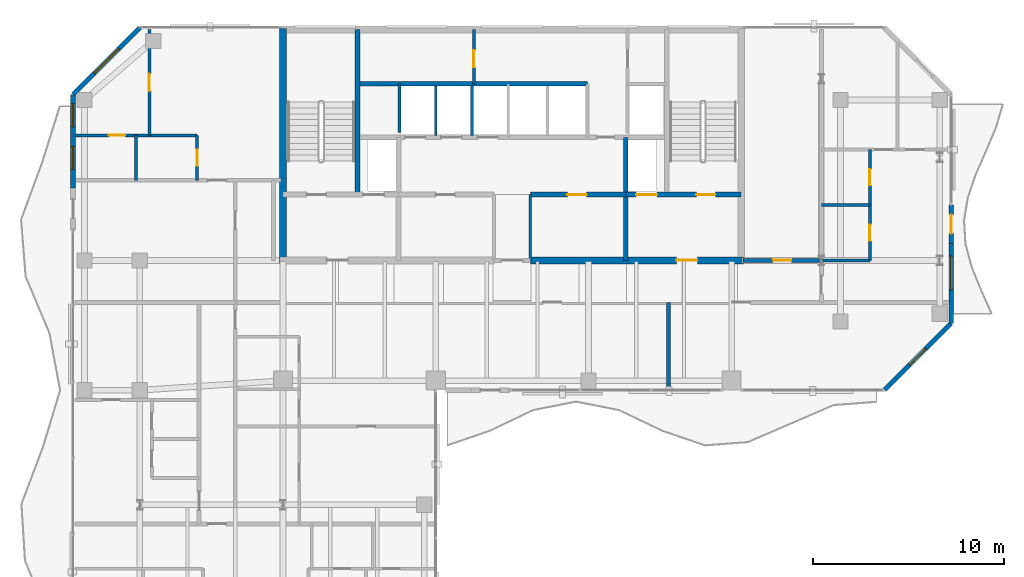
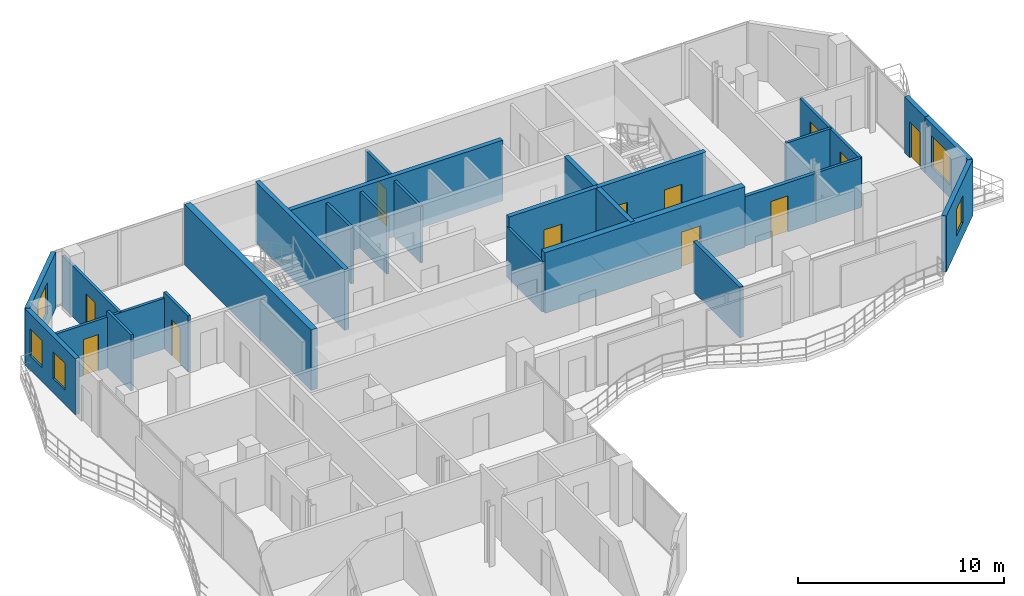
# One storey, part 19 of 23: 26 walls, 12 doors, 5 windows, 17 openings.
"""IFC4 building model written with IfcOpenShell, lengths in metres."""

from ifc_helpers import new_model, si_unit, direction, frame, frame_2d, origin, place, context, subcontext, project, spatial, rectangle, extrude, material, layer, layer_set, type_object, element, fill, save


model = new_model("IFC4")

# Units and contexts
model_context = context("Model", 3, precision=1e-05, world=origin(), true_north=direction((0.0, 1.0)))
body_context = subcontext(model_context, "Body", "Model", "MODEL_VIEW")
ifc_project = project(units=[si_unit("LENGTHUNIT", "METRE"), si_unit("AREAUNIT", "SQUARE_METRE"), si_unit("VOLUMEUNIT", "CUBIC_METRE"), si_unit("PLANEANGLEUNIT", "RADIAN"), si_unit("MASSUNIT", "GRAM", prefix="KILO")], contexts=[model_context])

# Site, building, storey
site_placement = place(None, origin())
site = spatial("IfcSite", under=ifc_project, at=site_placement, CompositionType="ELEMENT")
building_placement = place(site_placement, origin())
building = spatial("IfcBuilding", under=site, at=building_placement, Name="Catumbela Crestline Tower", CompositionType="ELEMENT")
storey_placement = place(building_placement, frame((0.0, 0.0, 165.0)))
storey = spatial("IfcBuildingStorey", under=building, at=storey_placement, Name="L42", CompositionType="ELEMENT", Elevation=165.0)

# Walls
ifc_material_1 = material(Name="Concrete C50/60", Category="concrete")
ifc_layer_1 = layer(ifc_material_1, 0.25, Name="Concrete C50/60")
ifc_layer_set_1 = layer_set([ifc_layer_1], Name="Concrete C50/60")
wall_type_1 = type_object("IfcWallType", Name="CW-250D", PredefinedType="SHEAR", material=ifc_layer_set_1)
wall_1_placement = place(storey_placement, frame((19.9, 34.25, 0.0), z_axis=(0.0, 0.0, 1.0), x_axis=(0.0, 1.0, 0.0)))
element("IfcWall", 1, at=wall_1_placement, inside=storey, type_object=wall_type_1, Name="L42 Structural Core Shear Wall WWEB", PredefinedType="SHEAR", context=body_context, shape_type="SweptSolid", body=[
    extrude(rectangle(XDim=8.65, YDim=0.25, at=frame_2d((4.325, 0.0))), origin(), (0.0, 0.0, 1.0), 3.6),
])
wall_2_placement = place(storey_placement, frame((33.95, 30.8, 0.0), z_axis=(0.0, 0.0, 1.0), x_axis=(0.0, 1.0, 0.0)))
element("IfcWall", 2, at=wall_2_placement, inside=storey, type_object=wall_type_1, Name="L42 Structural Core Shear Wall FFE", PredefinedType="SHEAR", context=body_context, shape_type="SweptSolid", body=[
    extrude(rectangle(XDim=6.45, YDim=0.25, at=frame_2d((3.225, 0.0))), origin(), (0.0, 0.0, 1.0), 3.6),
])

# Wall, openings, doors
wall_3_placement = place(storey_placement, frame((33.95, 34.25, 0.0), z_axis=(0.0, 0.0, 1.0), x_axis=(1.0, 0.0, 0.0)))
wall_3 = element("IfcWall", 3, at=wall_3_placement, inside=storey, type_object=wall_type_1, Name="L42 Structural Core Shear Wall ST2S", PredefinedType="SHEAR", context=body_context, shape_type="SweptSolid", body=[
    extrude(rectangle(XDim=6.05, YDim=0.25, at=frame_2d((3.025, 0.0))), origin(), (0.0, 0.0, 1.0), 3.6),
])
opening_1_placement = place(wall_3_placement, frame((3.7, 0.0, 0.0)))
opening_1 = element("IfcOpeningElement", 4, at=opening_1_placement, cuts=wall_3, Name="Opening DF9-100", PredefinedType="OPENING", context=body_context, shape_type="SweptSolid", body=[
    extrude(rectangle(XDim=1.0, YDim=2.15, at=frame_2d((0.5, 1.075))), frame((0.0, 0.135, 0.0), z_axis=(0.0, -1.0, 0.0), x_axis=(1.0, 0.0, 0.0)), (0.0, 0.0, 1.0), 0.27),
])
opening_2_placement = place(wall_3_placement, frame((0.55, 0.0, 0.0)))
opening_2 = element("IfcOpeningElement", 5, at=opening_2_placement, cuts=wall_3, Name="Opening LD-110", PredefinedType="OPENING", context=body_context, shape_type="SweptSolid", body=[
    extrude(rectangle(XDim=1.1, YDim=2.15, at=frame_2d((0.55, 1.075))), frame((0.0, 0.135, 0.0), z_axis=(0.0, -1.0, 0.0), x_axis=(1.0, 0.0, 0.0)), (0.0, 0.0, 1.0), 0.27),
])
ifc_material_2 = material(Name="Stainless steel EN 1.4401", Category="steel")
door_type_1 = type_object("IfcDoorType", Name="DF9-100", OperationType="NOTDEFINED", PredefinedType="DOOR", material=ifc_material_2)
door_1_placement = place(opening_1_placement, origin())
door_1 = element("IfcDoor", 6, at=door_1_placement, inside=storey, type_object=door_type_1, Name="L42 Interior Door DR-L42-ST02", OperationType="SINGLE_SWING_RIGHT", OverallHeight=2.15, OverallWidth=1.0, PredefinedType="DOOR", context=body_context, shape_type="SweptSolid", body=[
    extrude(rectangle(XDim=1.0, YDim=2.15, at=frame_2d((0.5, 1.075))), frame((0.0, 0.025, 0.0), z_axis=(0.0, -1.0, 0.0), x_axis=(1.0, 0.0, 0.0)), (0.0, 0.0, 1.0), 0.05),
])
fill(opening_1, door_1)
door_type_2 = type_object("IfcDoorType", Name="LD-110", OperationType="NOTDEFINED", PredefinedType="DOOR", material=ifc_material_2)
door_2_placement = place(opening_2_placement, origin())
door_2 = element("IfcDoor", 7, at=door_2_placement, inside=storey, type_object=door_type_2, Name="L42 Lift Landing Sliding Door FL-02", OperationType="DOUBLE_DOOR_SLIDING", OverallHeight=2.15, OverallWidth=1.1, PredefinedType="DOOR", context=body_context, shape_type="SweptSolid", body=[
    extrude(rectangle(XDim=1.1, YDim=2.15, at=frame_2d((0.55, 1.075))), frame((0.0, 0.025, 0.0), z_axis=(0.0, -1.0, 0.0), x_axis=(1.0, 0.0, 0.0)), (0.0, 0.0, 1.0), 0.05),
])
fill(opening_2, door_2)

# Wall, opening, door
wall_4_placement = place(storey_placement, frame((28.95, 34.25, 0.0), z_axis=(0.0, 0.0, 1.0), x_axis=(1.0, 0.0, 0.0)))
wall_4 = element("IfcWall", 8, at=wall_4_placement, inside=storey, type_object=wall_type_1, Name="L42 Structural Core Shear Wall LIFTS-E", PredefinedType="SHEAR", context=body_context, shape_type="SweptSolid", body=[
    extrude(rectangle(XDim=5.0, YDim=0.25, at=frame_2d((2.5, 0.0))), origin(), (0.0, 0.0, 1.0), 3.6),
])
opening_3_placement = place(wall_4_placement, frame((1.95, 0.0, 0.0)))
opening_3 = element("IfcOpeningElement", 9, at=opening_3_placement, cuts=wall_4, Name="Opening DF9-100", PredefinedType="OPENING", context=body_context, shape_type="SweptSolid", body=[
    extrude(rectangle(XDim=1.0, YDim=2.15, at=frame_2d((0.5, 1.075))), frame((0.0, 0.135, 0.0), z_axis=(0.0, -1.0, 0.0), x_axis=(1.0, 0.0, 0.0)), (0.0, 0.0, 1.0), 0.27),
])
door_3_placement = place(opening_3_placement, origin())
door_3 = element("IfcDoor", 10, at=door_3_placement, inside=storey, type_object=door_type_1, Name="L42 Interior Door DR-L42-RECL2", OperationType="SINGLE_SWING_RIGHT", OverallHeight=2.15, OverallWidth=1.0, PredefinedType="DOOR", context=body_context, shape_type="SweptSolid", body=[
    extrude(rectangle(XDim=1.0, YDim=2.15, at=frame_2d((0.5, 1.075))), frame((0.0, 0.025, 0.0), z_axis=(0.0, -1.0, 0.0), x_axis=(1.0, 0.0, 0.0)), (0.0, 0.0, 1.0), 0.05),
])
fill(opening_3, door_3)

# Walls
wall_5_placement = place(storey_placement, frame((19.9, 40.05, 0.0), z_axis=(0.0, 0.0, 1.0), x_axis=(1.0, 0.0, 0.0)))
element("IfcWall", 11, at=wall_5_placement, inside=storey, type_object=wall_type_1, Name="L42 Structural Core Shear Wall COREN", PredefinedType="SHEAR", context=body_context, shape_type="SweptSolid", body=[
    extrude(rectangle(XDim=12.05, YDim=0.25, at=frame_2d((6.025, 0.0))), origin(), (0.0, 0.0, 1.0), 3.6),
])
ifc_layer_2 = layer(ifc_material_1, 0.35, Name="Concrete C50/60")
ifc_layer_set_2 = layer_set([ifc_layer_2], Name="Concrete C50/60")
wall_type_2 = type_object("IfcWallType", Name="CW-350B", PredefinedType="SHEAR", material=ifc_layer_set_2)
wall_6_placement = place(storey_placement, frame((16.0, 30.65, 0.0), z_axis=(0.0, 0.0, 1.0), x_axis=(0.0, 1.0, 0.0)))
element("IfcWall", 12, at=wall_6_placement, inside=storey, type_object=wall_type_2, Name="L42 Structural Core Shear Wall W", PredefinedType="SHEAR", context=body_context, shape_type="SweptSolid", body=[
    extrude(rectangle(XDim=12.3, YDim=0.35, at=frame_2d((6.15, 0.0))), origin(), (0.0, 0.0, 1.0), 3.6),
])

# Wall, opening, door
wall_7_placement = place(storey_placement, frame((28.95, 30.8, 0.0), z_axis=(0.0, 0.0, 1.0), x_axis=(1.0, 0.0, 0.0)))
wall_7 = element("IfcWall", 13, at=wall_7_placement, inside=storey, type_object=wall_type_2, Name="L42 Structural Core Shear Wall SE", PredefinedType="SHEAR", context=body_context, shape_type="SweptSolid", body=[
    extrude(rectangle(XDim=11.2, YDim=0.35, at=frame_2d((5.6, 0.0))), origin(), (0.0, 0.0, 1.0), 3.6),
])
opening_4_placement = place(wall_7_placement, frame((7.65, 0.0, 0.0)))
opening_4 = element("IfcOpeningElement", 14, at=opening_4_placement, cuts=wall_7, Name="Opening DF9-110", PredefinedType="OPENING", context=body_context, shape_type="SweptSolid", body=[
    extrude(rectangle(XDim=1.1, YDim=2.15, at=frame_2d((0.55, 1.075))), frame((0.0, 0.185, 0.0), z_axis=(0.0, -1.0, 0.0), x_axis=(1.0, 0.0, 0.0)), (0.0, 0.0, 1.0), 0.37),
])
door_type_3 = type_object("IfcDoorType", Name="DF9-110", OperationType="NOTDEFINED", PredefinedType="DOOR", material=ifc_material_2)
door_4_placement = place(opening_4_placement, origin())
door_4 = element("IfcDoor", 15, at=door_4_placement, inside=storey, type_object=door_type_3, Name="L42 Interior Door DR-L42-FFE-S", OperationType="SINGLE_SWING_RIGHT", OverallHeight=2.15, OverallWidth=1.1, PredefinedType="DOOR", context=body_context, shape_type="SweptSolid", body=[
    extrude(rectangle(XDim=1.1, YDim=2.15, at=frame_2d((0.55, 1.075))), frame((0.0, 0.025, 0.0), z_axis=(0.0, -1.0, 0.0), x_axis=(1.0, 0.0, 0.0)), (0.0, 0.0, 1.0), 0.05),
])
fill(opening_4, door_4)

ifc_material_3 = material(Name="Acoustic gypsum and mineral-wool partition")
ifc_layer_3 = layer(ifc_material_3, 0.2, Name="Acoustic gypsum and mineral-wool partition")
ifc_layer_set_3 = layer_set([ifc_layer_3], Name="Acoustic gypsum and mineral-wool partition")
wall_type_3 = type_object("IfcWallType", Name="WC-200", PredefinedType="PARTITIONING", material=ifc_layer_set_3)
wall_8_placement = place(storey_placement, frame((40.1, 30.8, 0.0), z_axis=(0.0, 0.0, 1.0), x_axis=(1.0, 0.0, 0.0)))
wall_8 = element("IfcWall", 16, at=wall_8_placement, inside=storey, type_object=wall_type_3, Name="L42 Interior Partition PW-L42-NERM-ENT", PredefinedType="PARTITIONING", context=body_context, shape_type="SweptSolid", body=[
    extrude(rectangle(XDim=4.1, YDim=0.2, at=frame_2d((2.05, 0.0))), origin(), (0.0, 0.0, 1.0), 2.93),
])
opening_5_placement = place(wall_8_placement, frame((1.575, 0.0, 0.0)))
opening_5 = element("IfcOpeningElement", 17, at=opening_5_placement, cuts=wall_8, Name="Opening DF6-095", PredefinedType="OPENING", context=body_context, shape_type="SweptSolid", body=[
    extrude(rectangle(XDim=0.95, YDim=2.15, at=frame_2d((0.475, 1.075))), frame((0.0, 0.11, 0.0), z_axis=(0.0, -1.0, 0.0), x_axis=(1.0, 0.0, 0.0)), (0.0, 0.0, 1.0), 0.22),
])
ifc_material_4 = material(Name="Aluminium alloy AW-6060-T66", Category="aluminium")
door_type_4 = type_object("IfcDoorType", Name="DF6-095", OperationType="NOTDEFINED", PredefinedType="DOOR", material=ifc_material_4)
door_5_placement = place(opening_5_placement, origin())
door_5 = element("IfcDoor", 18, at=door_5_placement, inside=storey, type_object=door_type_4, Name="L42 Interior Door DR-L42-NERM-ENT", OperationType="SINGLE_SWING_LEFT", OverallHeight=2.15, OverallWidth=0.95, PredefinedType="DOOR", context=body_context, shape_type="SweptSolid", body=[
    extrude(rectangle(XDim=0.95, YDim=2.15, at=frame_2d((0.475, 1.075))), frame((0.0, 0.025, 0.0), z_axis=(0.0, -1.0, 0.0), x_axis=(1.0, 0.0, 0.0)), (0.0, 0.0, 1.0), 0.05),
])
fill(opening_5, door_5)

# Wall, opening, window
ifc_material_5 = material(Name="Angolan grey-ochre granite", Category="masonry")
ifc_layer_4 = layer(ifc_material_5, 0.25, Name="Angolan grey-ochre granite")
ifc_layer_set_4 = layer_set([ifc_layer_4], Name="Angolan grey-ochre granite")
wall_type_4 = type_object("IfcWallType", Name="WE-250", PredefinedType="STANDARD", material=ifc_layer_set_4)
wall_9_placement = place(storey_placement, frame((47.5, 24.0, 0.0), z_axis=(0.0, 0.0, 1.0), x_axis=(0.707106781187, 0.707106781187, 0.0)))
wall_9 = element("IfcWall", 19, at=wall_9_placement, inside=storey, type_object=wall_type_4, Name="L42 Granite Punched Window Wall 4-1", PredefinedType="STANDARD", context=body_context, shape_type="SweptSolid", body=[
    extrude(rectangle(XDim=4.9497, YDim=0.25, at=frame_2d((2.4748, 0.0))), origin(), (0.0, 0.0, 1.0), 3.33),
])
opening_6_placement = place(wall_9_placement, frame((1.8748, 0.0, 0.85)))
opening_6 = element("IfcOpeningElement", 20, at=opening_6_placement, cuts=wall_9, Name="Opening WN-02", PredefinedType="OPENING", context=body_context, shape_type="SweptSolid", body=[
    extrude(rectangle(XDim=1.2, YDim=1.6, at=frame_2d((0.6, 0.8))), frame((0.0, 0.135, 0.0), z_axis=(0.0, -1.0, 0.0), x_axis=(1.0, 0.0, 0.0)), (0.0, 0.0, 1.0), 0.27),
])
ifc_material_6 = material(Name="Low-E laminated solar-control double glazing", Category="glass")
window_type_1 = type_object("IfcWindowType", Name="WO-1200", PartitioningType="SINGLE_PANEL", PredefinedType="WINDOW", material=ifc_material_6)
window_1_placement = place(opening_6_placement, origin())
window_1 = element("IfcWindow", 21, at=window_1_placement, inside=storey, type_object=window_type_1, Name="L42 Facade Vision Window 246", OverallHeight=1.6, OverallWidth=1.2, PartitioningType="SINGLE_PANEL", PredefinedType="WINDOW", context=body_context, shape_type="SweptSolid", body=[
    extrude(rectangle(XDim=1.2, YDim=1.6, at=frame_2d((0.6, 0.8))), frame((0.0, 0.03, 0.0), z_axis=(0.0, -1.0, 0.0), x_axis=(1.0, 0.0, 0.0)), (0.0, 0.0, 1.0), 0.06),
])
fill(opening_6, window_1)

# Wall, opening, door
wall_10_placement = place(storey_placement, frame((51.0, 31.7, 0.0), z_axis=(0.0, 0.0, 1.0), x_axis=(0.0, 1.0, 0.0)))
wall_10 = element("IfcWall", 22, at=wall_10_placement, inside=storey, type_object=wall_type_4, Name="L42 Exterior Threshold Portal Wall DR-L42-WBAL-2", PredefinedType="STANDARD", context=body_context, shape_type="SweptSolid", body=[
    extrude(rectangle(XDim=2.0, YDim=0.25, at=frame_2d((1.0, 0.0))), origin(), (0.0, 0.0, 1.0), 3.33),
])
opening_7_placement = place(wall_10_placement, frame((0.5, 0.0, 0.0)))
opening_7 = element("IfcOpeningElement", 23, at=opening_7_placement, cuts=wall_10, Name="Opening DB-L42-2", PredefinedType="OPENING", context=body_context, shape_type="SweptSolid", body=[
    extrude(rectangle(XDim=1.0, YDim=2.15, at=frame_2d((0.5, 1.075))), frame((0.0, 0.135, 0.0), z_axis=(0.0, -1.0, 0.0), x_axis=(1.0, 0.0, 0.0)), (0.0, 0.0, 1.0), 0.27),
])
door_type_5 = type_object("IfcDoorType", Name="DB-1000", OperationType="NOTDEFINED", PredefinedType="DOOR", material=ifc_material_4)
door_6_placement = place(opening_7_placement, origin())
door_6 = element("IfcDoor", 24, at=door_6_placement, inside=storey, type_object=door_type_5, Name="L42 Wave Balcony Terrace Door 2", OperationType="SINGLE_SWING_LEFT", OverallHeight=2.15, OverallWidth=1.0, PredefinedType="DOOR", context=body_context, shape_type="SweptSolid", body=[
    extrude(rectangle(XDim=1.0, YDim=2.15, at=frame_2d((0.5, 1.075))), frame((0.0, 0.025, 0.0), z_axis=(0.0, -1.0, 0.0), x_axis=(1.0, 0.0, 0.0)), (0.0, 0.0, 1.0), 0.05),
])
fill(opening_7, door_6)

# Wall, opening, window
wall_11_placement = place(storey_placement, frame((51.0, 27.5, 0.0), z_axis=(0.0, 0.0, 1.0), x_axis=(0.0, 1.0, 0.0)))
wall_11 = element("IfcWall", 25, at=wall_11_placement, inside=storey, type_object=wall_type_4, Name="L42 Granite Punched Window Wall 5-1", PredefinedType="STANDARD", context=body_context, shape_type="SweptSolid", body=[
    extrude(rectangle(XDim=4.2, YDim=0.25, at=frame_2d((2.1, 0.0))), origin(), (0.0, 0.0, 1.0), 3.33),
])
opening_8_placement = place(wall_11_placement, frame((1.74, 0.0, 0.75)))
opening_8 = element("IfcOpeningElement", 26, at=opening_8_placement, cuts=wall_11, Name="Opening WN-01", PredefinedType="OPENING", context=body_context, shape_type="SweptSolid", body=[
    extrude(rectangle(XDim=1.8, YDim=1.85, at=frame_2d((0.9, 0.925))), frame((0.0, 0.135, 0.0), z_axis=(0.0, -1.0, 0.0), x_axis=(1.0, 0.0, 0.0)), (0.0, 0.0, 1.0), 0.27),
])
window_type_2 = type_object("IfcWindowType", Name="WF-1800", PartitioningType="SINGLE_PANEL", PredefinedType="WINDOW", material=ifc_material_6)
window_2_placement = place(opening_8_placement, origin())
window_2 = element("IfcWindow", 27, at=window_2_placement, inside=storey, type_object=window_type_2, Name="L42 Facade Vision Window 247", OverallHeight=1.85, OverallWidth=1.8, PartitioningType="SINGLE_PANEL", PredefinedType="WINDOW", context=body_context, shape_type="SweptSolid", body=[
    extrude(rectangle(XDim=1.8, YDim=1.85, at=frame_2d((0.9, 0.925))), frame((0.0, 0.03, 0.0), z_axis=(0.0, -1.0, 0.0), x_axis=(1.0, 0.0, 0.0)), (0.0, 0.0, 1.0), 0.06),
])
fill(opening_8, window_2)

wall_12_placement = place(storey_placement, frame((8.5, 43.0, 0.0), z_axis=(0.0, 0.0, 1.0), x_axis=(-0.707106781187, -0.707106781187, 0.0)))
wall_12 = element("IfcWall", 28, at=wall_12_placement, inside=storey, type_object=wall_type_4, Name="L42 Granite Punched Window Wall 8-1", PredefinedType="STANDARD", context=body_context, shape_type="SweptSolid", body=[
    extrude(rectangle(XDim=4.9497, YDim=0.25, at=frame_2d((2.4748, 0.0))), origin(), (0.0, 0.0, 1.0), 3.33),
])
opening_9_placement = place(wall_12_placement, frame((1.5749, 0.0, 0.75)))
opening_9 = element("IfcOpeningElement", 29, at=opening_9_placement, cuts=wall_12, Name="Opening WN-01", PredefinedType="OPENING", context=body_context, shape_type="SweptSolid", body=[
    extrude(rectangle(XDim=1.8, YDim=1.85, at=frame_2d((0.9, 0.925))), frame((0.0, 0.135, 0.0), z_axis=(0.0, -1.0, 0.0), x_axis=(1.0, 0.0, 0.0)), (0.0, 0.0, 1.0), 0.27),
])
window_3_placement = place(opening_9_placement, origin())
window_3 = element("IfcWindow", 30, at=window_3_placement, inside=storey, type_object=window_type_2, Name="L42 Facade Vision Window 249", OverallHeight=1.85, OverallWidth=1.8, PartitioningType="SINGLE_PANEL", PredefinedType="WINDOW", context=body_context, shape_type="SweptSolid", body=[
    extrude(rectangle(XDim=1.8, YDim=1.85, at=frame_2d((0.9, 0.925))), frame((0.0, 0.03, 0.0), z_axis=(0.0, -1.0, 0.0), x_axis=(1.0, 0.0, 0.0)), (0.0, 0.0, 1.0), 0.06),
])
fill(opening_9, window_3)

# Wall, openings, windows
wall_13_placement = place(storey_placement, frame((5.0, 39.5, 0.0), z_axis=(0.0, 0.0, 1.0), x_axis=(0.0, -1.0, 0.0)))
wall_13 = element("IfcWall", 31, at=wall_13_placement, inside=storey, type_object=wall_type_4, Name="L42 Granite Punched Window Wall 9-1", PredefinedType="STANDARD", context=body_context, shape_type="SweptSolid", body=[
    extrude(rectangle(XDim=4.9, YDim=0.25, at=frame_2d((2.45, 0.0))), origin(), (0.0, 0.0, 1.0), 3.33),
])
opening_10_placement = place(wall_13_placement, frame((0.485, 0.0, 0.85)))
opening_10 = element("IfcOpeningElement", 32, at=opening_10_placement, cuts=wall_13, Name="Opening WN-02", PredefinedType="OPENING", context=body_context, shape_type="SweptSolid", body=[
    extrude(rectangle(XDim=1.2, YDim=1.6, at=frame_2d((0.6, 0.8))), frame((0.0, 0.135, 0.0), z_axis=(0.0, -1.0, 0.0), x_axis=(1.0, 0.0, 0.0)), (0.0, 0.0, 1.0), 0.27),
])
opening_11_placement = place(wall_13_placement, frame((2.725, 0.0, 0.85)))
opening_11 = element("IfcOpeningElement", 33, at=opening_11_placement, cuts=wall_13, Name="Opening WN-02", PredefinedType="OPENING", context=body_context, shape_type="SweptSolid", body=[
    extrude(rectangle(XDim=1.2, YDim=1.6, at=frame_2d((0.6, 0.8))), frame((0.0, 0.135, 0.0), z_axis=(0.0, -1.0, 0.0), x_axis=(1.0, 0.0, 0.0)), (0.0, 0.0, 1.0), 0.27),
])
window_4_placement = place(opening_10_placement, origin())
window_4 = element("IfcWindow", 34, at=window_4_placement, inside=storey, type_object=window_type_1, Name="L42 Facade Vision Window 250", OverallHeight=1.6, OverallWidth=1.2, PartitioningType="SINGLE_PANEL", PredefinedType="WINDOW", context=body_context, shape_type="SweptSolid", body=[
    extrude(rectangle(XDim=1.2, YDim=1.6, at=frame_2d((0.6, 0.8))), frame((0.0, 0.03, 0.0), z_axis=(0.0, -1.0, 0.0), x_axis=(1.0, 0.0, 0.0)), (0.0, 0.0, 1.0), 0.06),
])
fill(opening_10, window_4)
window_5_placement = place(opening_11_placement, origin())
window_5 = element("IfcWindow", 35, at=window_5_placement, inside=storey, type_object=window_type_1, Name="L42 Facade Vision Window 251", OverallHeight=1.6, OverallWidth=1.2, PartitioningType="SINGLE_PANEL", PredefinedType="WINDOW", context=body_context, shape_type="SweptSolid", body=[
    extrude(rectangle(XDim=1.2, YDim=1.6, at=frame_2d((0.6, 0.8))), frame((0.0, 0.03, 0.0), z_axis=(0.0, -1.0, 0.0), x_axis=(1.0, 0.0, 0.0)), (0.0, 0.0, 1.0), 0.06),
])
fill(opening_11, window_5)

# Wall, opening, door
ifc_layer_5 = layer(ifc_material_3, 0.15, Name="Acoustic gypsum and mineral-wool partition")
ifc_layer_set_5 = layer_set([ifc_layer_5], Name="Acoustic gypsum and mineral-wool partition")
wall_type_5 = type_object("IfcWallType", Name="WP-150", PredefinedType="PARTITIONING", material=ifc_layer_set_5)
wall_14_placement = place(storey_placement, frame((26.0, 40.05, 0.0), z_axis=(0.0, 0.0, 1.0), x_axis=(0.0, 1.0, 0.0)))
wall_14 = element("IfcWall", 36, at=wall_14_placement, inside=storey, type_object=wall_type_5, Name="L42 Interior Partition PW-L42-CR-WW", PredefinedType="PARTITIONING", context=body_context, shape_type="SweptSolid", body=[
    extrude(rectangle(XDim=2.85, YDim=0.15, at=frame_2d((1.425, 0.0))), origin(), (0.0, 0.0, 1.0), 3.33),
])
opening_12_placement = place(wall_14_placement, frame((0.865, 0.0, 0.0)))
opening_12 = element("IfcOpeningElement", 37, at=opening_12_placement, cuts=wall_14, Name="Opening DF9-090", PredefinedType="OPENING", context=body_context, shape_type="SweptSolid", body=[
    extrude(rectangle(XDim=0.9, YDim=2.15, at=frame_2d((0.45, 1.075))), frame((0.0, 0.085, 0.0), z_axis=(0.0, -1.0, 0.0), x_axis=(1.0, 0.0, 0.0)), (0.0, 0.0, 1.0), 0.17),
])
door_type_6 = type_object("IfcDoorType", Name="DF9-090", OperationType="NOTDEFINED", PredefinedType="DOOR", material=ifc_material_2)
door_7_placement = place(opening_12_placement, origin())
door_7 = element("IfcDoor", 38, at=door_7_placement, inside=storey, type_object=door_type_6, Name="L42 Interior Door DR-L42-CRWEST", OperationType="SINGLE_SWING_LEFT", OverallHeight=2.15, OverallWidth=0.9, PredefinedType="DOOR", context=body_context, shape_type="SweptSolid", body=[
    extrude(rectangle(XDim=0.9, YDim=2.15, at=frame_2d((0.45, 1.075))), frame((0.0, 0.025, 0.0), z_axis=(0.0, -1.0, 0.0), x_axis=(1.0, 0.0, 0.0)), (0.0, 0.0, 1.0), 0.05),
])
fill(opening_12, door_7)

wall_15_placement = place(storey_placement, frame((11.5, 35.0, 0.0), z_axis=(0.0, 0.0, 1.0), x_axis=(0.0, 1.0, 0.0)))
wall_15 = element("IfcWall", 39, at=wall_15_placement, inside=storey, type_object=wall_type_5, Name="L42 Interior Partition PW-L42-NW1-KBE", PredefinedType="PARTITIONING", context=body_context, shape_type="SweptSolid", body=[
    extrude(rectangle(XDim=2.35, YDim=0.15, at=frame_2d((1.175, 0.0))), origin(), (0.0, 0.0, 1.0), 3.33),
])
opening_13_placement = place(wall_15_placement, frame((0.75, 0.0, 0.0)))
opening_13 = element("IfcOpeningElement", 40, at=opening_13_placement, cuts=wall_15, Name="Opening DI-085", PredefinedType="OPENING", context=body_context, shape_type="SweptSolid", body=[
    extrude(rectangle(XDim=0.85, YDim=2.15, at=frame_2d((0.425, 1.075))), frame((0.0, 0.085, 0.0), z_axis=(0.0, -1.0, 0.0), x_axis=(1.0, 0.0, 0.0)), (0.0, 0.0, 1.0), 0.17),
])
door_type_7 = type_object("IfcDoorType", Name="DI-085", OperationType="NOTDEFINED", PredefinedType="DOOR", material=ifc_material_4)
door_8_placement = place(opening_13_placement, origin())
door_8 = element("IfcDoor", 41, at=door_8_placement, inside=storey, type_object=door_type_7, Name="L42 Interior Door DR-L42-NW1-BTH", OperationType="SINGLE_SWING_LEFT", OverallHeight=2.15, OverallWidth=0.85, PredefinedType="DOOR", context=body_context, shape_type="SweptSolid", body=[
    extrude(rectangle(XDim=0.85, YDim=2.15, at=frame_2d((0.425, 1.075))), frame((0.0, 0.025, 0.0), z_axis=(0.0, -1.0, 0.0), x_axis=(1.0, 0.0, 0.0)), (0.0, 0.0, 1.0), 0.05),
])
fill(opening_13, door_8)

# Wall
wall_16_placement = place(storey_placement, frame((8.3, 35.0, 0.0), z_axis=(0.0, 0.0, 1.0), x_axis=(0.0, 1.0, 0.0)))
element("IfcWall", 42, at=wall_16_placement, inside=storey, type_object=wall_type_5, Name="L42 Interior Partition PW-L42-NW1-KBM", PredefinedType="PARTITIONING", context=body_context, shape_type="SweptSolid", body=[
    extrude(rectangle(XDim=2.35, YDim=0.15, at=frame_2d((1.175, 0.0))), origin(), (0.0, 0.0, 1.0), 3.33),
])

# Wall, opening, door
wall_17_placement = place(storey_placement, frame((5.1, 37.35, 0.0), z_axis=(0.0, 0.0, 1.0), x_axis=(1.0, 0.0, 0.0)))
wall_17 = element("IfcWall", 43, at=wall_17_placement, inside=storey, type_object=wall_type_5, Name="L42 Interior Partition PW-L42-NW1-KBD1", PredefinedType="PARTITIONING", context=body_context, shape_type="SweptSolid", body=[
    extrude(rectangle(XDim=6.4, YDim=0.15, at=frame_2d((3.2, 0.0))), origin(), (0.0, 0.0, 1.0), 3.01),
])
opening_14_placement = place(wall_17_placement, frame((1.7795, 0.0, 0.0)))
opening_14 = element("IfcOpeningElement", 44, at=opening_14_placement, cuts=wall_17, Name="Opening DI-085", PredefinedType="OPENING", context=body_context, shape_type="SweptSolid", body=[
    extrude(rectangle(XDim=0.85, YDim=2.15, at=frame_2d((0.425, 1.075))), frame((0.0, 0.085, 0.0), z_axis=(0.0, -1.0, 0.0), x_axis=(1.0, 0.0, 0.0)), (0.0, 0.0, 1.0), 0.17),
])
door_9_placement = place(opening_14_placement, origin())
door_9 = element("IfcDoor", 45, at=door_9_placement, inside=storey, type_object=door_type_7, Name="L42 Interior Door DR-L42-NW1-KIT", OperationType="SINGLE_SWING_LEFT", OverallHeight=2.15, OverallWidth=0.85, PredefinedType="DOOR", context=body_context, shape_type="SweptSolid", body=[
    extrude(rectangle(XDim=0.85, YDim=2.15, at=frame_2d((0.425, 1.075))), frame((0.0, 0.025, 0.0), z_axis=(0.0, -1.0, 0.0), x_axis=(1.0, 0.0, 0.0)), (0.0, 0.0, 1.0), 0.05),
])
fill(opening_14, door_9)

wall_18_placement = place(storey_placement, frame((9.0, 37.35, 0.0), z_axis=(0.0, 0.0, 1.0), x_axis=(0.0, 1.0, 0.0)))
wall_18 = element("IfcWall", 46, at=wall_18_placement, inside=storey, type_object=wall_type_5, Name="L42 Interior Partition PW-L42-NW1-BD1W", PredefinedType="PARTITIONING", context=body_context, shape_type="SweptSolid", body=[
    extrude(rectangle(XDim=5.55, YDim=0.15, at=frame_2d((2.775, 0.0))), origin(), (0.0, 0.0, 1.0), 3.01),
])
opening_15_placement = place(wall_18_placement, frame((2.325, 0.0, 0.0)))
opening_15 = element("IfcOpeningElement", 47, at=opening_15_placement, cuts=wall_18, Name="Opening DI-090", PredefinedType="OPENING", context=body_context, shape_type="SweptSolid", body=[
    extrude(rectangle(XDim=0.9, YDim=2.15, at=frame_2d((0.45, 1.075))), frame((0.0, 0.085, 0.0), z_axis=(0.0, -1.0, 0.0), x_axis=(1.0, 0.0, 0.0)), (0.0, 0.0, 1.0), 0.17),
])
door_type_8 = type_object("IfcDoorType", Name="DI-090", OperationType="NOTDEFINED", PredefinedType="DOOR", material=ifc_material_4)
door_10_placement = place(opening_15_placement, origin())
door_10 = element("IfcDoor", 48, at=door_10_placement, inside=storey, type_object=door_type_8, Name="L42 Interior Door DR-L42-NW1-BD1", OperationType="SINGLE_SWING_LEFT", OverallHeight=2.15, OverallWidth=0.9, PredefinedType="DOOR", context=body_context, shape_type="SweptSolid", body=[
    extrude(rectangle(XDim=0.9, YDim=2.15, at=frame_2d((0.45, 1.075))), frame((0.0, 0.025, 0.0), z_axis=(0.0, -1.0, 0.0), x_axis=(1.0, 0.0, 0.0)), (0.0, 0.0, 1.0), 0.05),
])
fill(opening_15, door_10)

# Walls
for number, where, z_axis, x_axis, name in (
    (49, (44.2, 30.8, 0.0), (0.0, 0.0, 1.0), (1.0, 0.0, 0.0), "L42 Interior Partition PW-L42-NE1-KBS"),
    (50, (44.2, 33.704, 0.0), (0.0, 0.0, 1.0), (1.0, 0.0, 0.0), "L42 Interior Partition PW-L42-NE1-KBM"),
):
    element("IfcWall", number, at=place(storey_placement, frame(where, z_axis=z_axis, x_axis=x_axis)), inside=storey, type_object=wall_type_5, Name=name, PredefinedType="PARTITIONING", context=body_context, shape_type="SweptSolid", body=[
        extrude(rectangle(XDim=2.546, YDim=0.15, at=frame_2d((1.273, 0.0))), origin(), (0.0, 0.0, 1.0), 2.93),
    ])

# Wall, openings, doors
wall_19_placement = place(storey_placement, frame((46.746, 30.8, 0.0), z_axis=(0.0, 0.0, 1.0), x_axis=(0.0, 1.0, 0.0)))
wall_19 = element("IfcWall", 51, at=wall_19_placement, inside=storey, type_object=wall_type_5, Name="L42 Interior Partition PW-L42-NE1-LK", PredefinedType="PARTITIONING", context=body_context, shape_type="SweptSolid", body=[
    extrude(rectangle(XDim=5.808, YDim=0.15, at=frame_2d((2.904, 0.0))), origin(), (0.0, 0.0, 1.0), 2.93),
])
opening_16_placement = place(wall_19_placement, frame((1.027, 0.0, 0.0)))
opening_16 = element("IfcOpeningElement", 52, at=opening_16_placement, cuts=wall_19, Name="Opening DI-085", PredefinedType="OPENING", context=body_context, shape_type="SweptSolid", body=[
    extrude(rectangle(XDim=0.85, YDim=2.15, at=frame_2d((0.425, 1.075))), frame((0.0, 0.085, 0.0), z_axis=(0.0, -1.0, 0.0), x_axis=(1.0, 0.0, 0.0)), (0.0, 0.0, 1.0), 0.17),
])
opening_17_placement = place(wall_19_placement, frame((3.931, 0.0, 0.0)))
opening_17 = element("IfcOpeningElement", 53, at=opening_17_placement, cuts=wall_19, Name="Opening DI-085", PredefinedType="OPENING", context=body_context, shape_type="SweptSolid", body=[
    extrude(rectangle(XDim=0.85, YDim=2.15, at=frame_2d((0.425, 1.075))), frame((0.0, 0.085, 0.0), z_axis=(0.0, -1.0, 0.0), x_axis=(1.0, 0.0, 0.0)), (0.0, 0.0, 1.0), 0.17),
])
door_11_placement = place(opening_16_placement, origin())
door_11 = element("IfcDoor", 54, at=door_11_placement, inside=storey, type_object=door_type_7, Name="L42 Interior Door DR-L42-NE1-KIT", OperationType="SINGLE_SWING_LEFT", OverallHeight=2.15, OverallWidth=0.85, PredefinedType="DOOR", context=body_context, shape_type="SweptSolid", body=[
    extrude(rectangle(XDim=0.85, YDim=2.15, at=frame_2d((0.425, 1.075))), frame((0.0, 0.025, 0.0), z_axis=(0.0, -1.0, 0.0), x_axis=(1.0, 0.0, 0.0)), (0.0, 0.0, 1.0), 0.05),
])
fill(opening_16, door_11)
door_12_placement = place(opening_17_placement, origin())
door_12 = element("IfcDoor", 55, at=door_12_placement, inside=storey, type_object=door_type_7, Name="L42 Interior Door DR-L42-NE1-BTH", OperationType="SINGLE_SWING_RIGHT", OverallHeight=2.15, OverallWidth=0.85, PredefinedType="DOOR", context=body_context, shape_type="SweptSolid", body=[
    extrude(rectangle(XDim=0.85, YDim=2.15, at=frame_2d((0.425, 1.075))), frame((0.0, 0.025, 0.0), z_axis=(0.0, -1.0, 0.0), x_axis=(1.0, 0.0, 0.0)), (0.0, 0.0, 1.0), 0.05),
])
fill(opening_17, door_12)

# Walls
ifc_layer_6 = layer(ifc_material_3, 0.2, Name="Acoustic gypsum and mineral-wool partition")
ifc_layer_set_6 = layer_set([ifc_layer_6], Name="Acoustic gypsum and mineral-wool partition")
wall_type_6 = type_object("IfcWallType", Name="WY-200", PredefinedType="PARTITIONING", material=ifc_layer_set_6)
wall_20_placement = place(storey_placement, frame((36.2, 24.1, 0.0), z_axis=(0.0, 0.0, 1.0), x_axis=(0.0, 1.0, 0.0)))
element("IfcWall", 56, at=wall_20_placement, inside=storey, type_object=wall_type_6, Name="L42 Interior Partition PW-L42-RSPP-2", PredefinedType="PARTITIONING", context=body_context, shape_type="SweptSolid", body=[
    extrude(rectangle(XDim=4.5, YDim=0.2, at=frame_2d((2.25, 0.0))), origin(), (0.0, 0.0, 1.0), 3.01),
])
ifc_layer_7 = layer(ifc_material_3, 0.15, Name="Acoustic gypsum and mineral-wool partition")
ifc_layer_set_7 = layer_set([ifc_layer_7], Name="Acoustic gypsum and mineral-wool partition")
wall_type_7 = type_object("IfcWallType", Name="WS-150", PredefinedType="PLUMBINGWALL", material=ifc_layer_set_7)
wall_21_placement = place(storey_placement, frame((28.95, 30.8, 0.0), z_axis=(0.0, 0.0, 1.0), x_axis=(0.0, 1.0, 0.0)))
element("IfcWall", 57, at=wall_21_placement, inside=storey, type_object=wall_type_7, Name="L42 Interior Partition PW-L42-THRE", PredefinedType="PLUMBINGWALL", context=body_context, shape_type="SweptSolid", body=[
    extrude(rectangle(XDim=3.45, YDim=0.15, at=frame_2d((1.725, 0.0))), origin(), (0.0, 0.0, 1.0), 2.96),
])
wall_22_placement = place(storey_placement, frame((22.1, 37.4897, 0.0), z_axis=(0.0, 0.0, 1.0), x_axis=(0.0, 1.0, 0.0)))
element("IfcWall", 58, at=wall_22_placement, inside=storey, type_object=wall_type_7, Name="L42 Interior Partition PW-L42-SHH0", PredefinedType="PLUMBINGWALL", context=body_context, shape_type="SweptSolid", body=[
    extrude(rectangle(XDim=2.5603, YDim=0.15, at=frame_2d((1.2801, 0.0))), origin(), (0.0, 0.0, 1.0), 3.33),
])
for number, where, z_axis, x_axis, name in (
    (59, (24.0, 37.35, 0.0), (0.0, 0.0, 1.0), (0.0, 1.0, 0.0), "L42 Interior Partition PW-L42-SHH1"),
    (60, (25.9, 37.35, 0.0), (0.0, 0.0, 1.0), (0.0, 1.0, 0.0), "L42 Interior Partition PW-L42-SHH2"),
):
    element("IfcWall", number, at=place(storey_placement, frame(where, z_axis=z_axis, x_axis=x_axis)), inside=storey, type_object=wall_type_7, Name=name, PredefinedType="PLUMBINGWALL", context=body_context, shape_type="SweptSolid", body=[
        extrude(rectangle(XDim=2.6, YDim=0.15, at=frame_2d((1.3, 0.0))), origin(), (0.0, 0.0, 1.0), 3.33),
    ])

save(model, "model.ifc")
